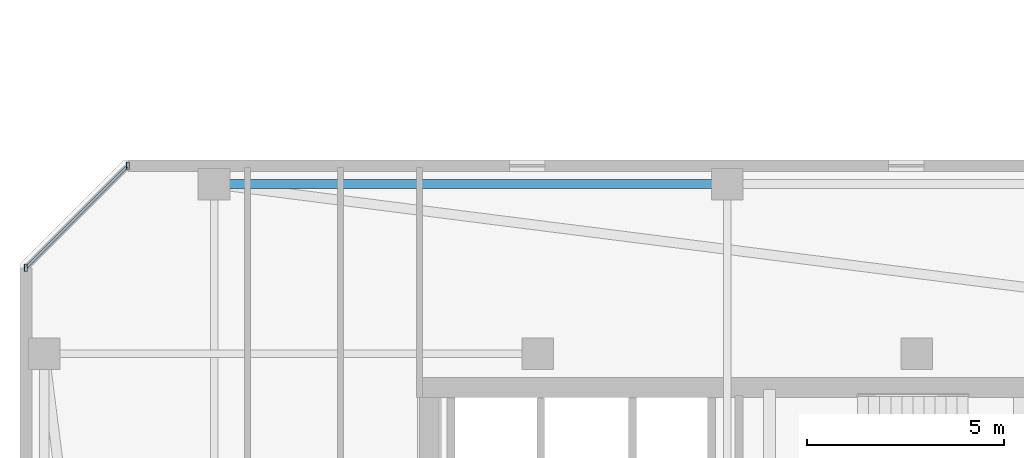
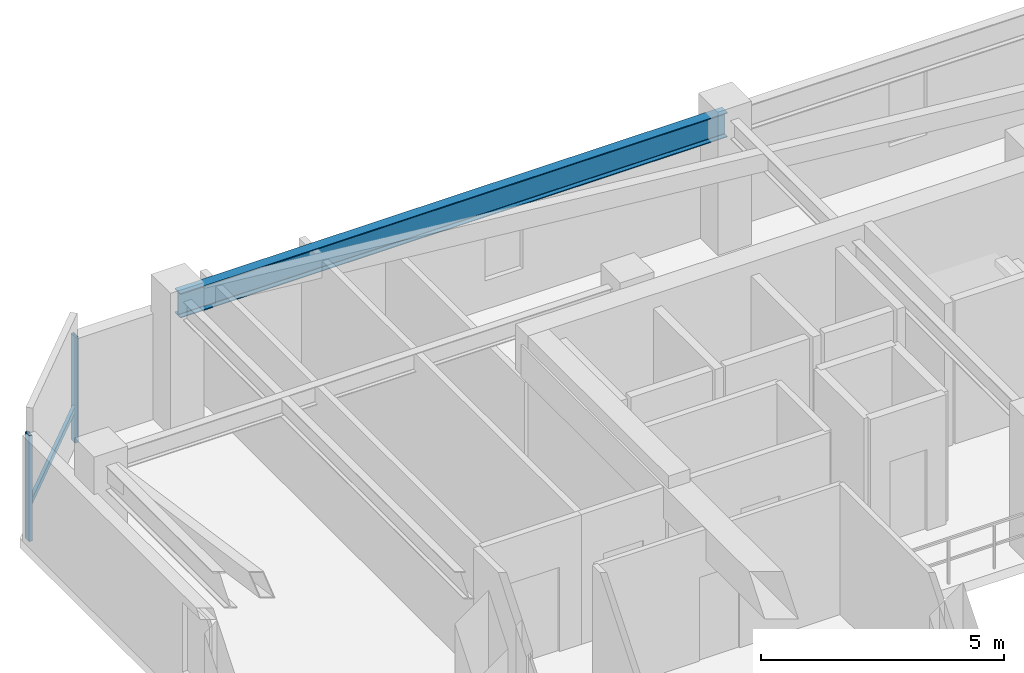
# One storey, part 10 of 35: 3 members, 1 beam, 1 element without a shape of its own.
"""IFC4 building model written with IfcOpenShell, lengths in metres."""

import ifcopenshell
import ifcopenshell.guid

model = None  # the IFC model being written
_history = None  # IfcOwnerHistory: only IFC2X3 demands one
_inside = {}  # id of a spatial element -> (the spatial element, [elements in it])
_under = {}  # id of a project, library or spatial element -> (it, [spatial elements below it])
_declared = {}  # id of a project -> (the project, [libraries it declares])
_typed = {}  # id of a type object -> (the type object, [elements of that type])
_made_of = {}  # id of a material, layer set ... -> (it, [elements and type objects made of it])


def new_model(schema):
    """Start an empty IFC model of exactly this schema.

    Asked for "IFC4X3", IfcOpenShell would pick the latest addendum, in which some entities
    have other attributes; the version numbers below select the first issue.
    IFC2X3 requires an IfcOwnerHistory on every rooted entity: one is made here for all.
    """
    global model, _history
    if schema == "IFC4X3":
        model = ifcopenshell.file(schema_version=(4, 3, 0, 0))
    else:
        model = ifcopenshell.file(schema=schema)
    _inside.clear()
    _under.clear()
    _declared.clear()
    _typed.clear()
    _made_of.clear()
    _history = None
    if model.schema == "IFC2X3":
        org = make("IfcOrganization", Name="unknown")
        user = make(
            "IfcPersonAndOrganization",
            ThePerson=make("IfcPerson", FamilyName="unknown"),
            TheOrganization=org,
        )
        app = make(
            "IfcApplication",
            ApplicationDeveloper=org,
            Version="unknown",
            ApplicationFullName="unknown",
            ApplicationIdentifier="unknown",
        )
        _history = make(
            "IfcOwnerHistory",
            OwningUser=user,
            OwningApplication=app,
            ChangeAction="ADDED",
            CreationDate=0,
        )
    return model


def make(cls, **values):
    """One entity of the class cls with the attributes given. An attribute that is None is left unset."""
    return model.create_entity(
        cls, **{name: value for name, value in values.items() if value is not None}
    )


def rooted(cls, **values):
    """An entity with a GlobalId (a new one), such as an element, a storey or a relation."""
    return make(cls, GlobalId=ifcopenshell.guid.new(), OwnerHistory=_history, **values)


def si_unit(unit_type, name, prefix=None):
    """IfcSIUnit, for example si_unit("LENGTHUNIT", "METRE", prefix="MILLI")."""
    return make("IfcSIUnit", UnitType=unit_type, Prefix=prefix, Name=name)


def assignment(units):
    """IfcUnitAssignment: the units of a project."""
    return None if units is None else make("IfcUnitAssignment", Units=units)


def point(xyz):
    """IfcCartesianPoint."""
    return None if xyz is None else make("IfcCartesianPoint", Coordinates=xyz)


def direction(xyz):
    """IfcDirection."""
    return None if xyz is None else make("IfcDirection", DirectionRatios=xyz)


def frame(location, z_axis=None, x_axis=None):
    """IfcAxis2Placement3D, a coordinate frame: its origin and axes. An axis left out is left unset."""
    return make(
        "IfcAxis2Placement3D",
        Location=point(location),
        Axis=direction(z_axis),
        RefDirection=direction(x_axis),
    )


def frame_2d(location, x_axis=None):
    """IfcAxis2Placement2D, a coordinate frame in the plane: its origin and x axis."""
    return make(
        "IfcAxis2Placement2D", Location=point(location), RefDirection=direction(x_axis)
    )


def origin():
    """The frame at (0, 0, 0) with its axes left unset."""
    return frame((0.0, 0.0, 0.0))


def origin_2d():
    """The frame at (0, 0) in the plane with its x axis left unset."""
    return frame_2d((0.0, 0.0))


def place(relative_to, where):
    """IfcLocalPlacement: puts the frame where relative to a parent placement (None: the world)."""
    return make(
        "IfcLocalPlacement", PlacementRelTo=relative_to, RelativePlacement=where
    )


def context(
    kind, dimensions, precision=None, world=None, true_north=None, identifier=None
):
    """IfcGeometricRepresentationContext, for example the 3D "Model" context."""
    return make(
        "IfcGeometricRepresentationContext",
        ContextIdentifier=identifier,
        ContextType=kind,
        CoordinateSpaceDimension=dimensions,
        Precision=precision,
        WorldCoordinateSystem=world,
        TrueNorth=true_north,
    )


def subcontext(parent, identifier, kind, view, scale=None):
    """IfcGeometricRepresentationSubContext, for example "Body" below "Model"."""
    return make(
        "IfcGeometricRepresentationSubContext",
        ContextIdentifier=identifier,
        ContextType=kind,
        ParentContext=parent,
        TargetScale=scale,
        TargetView=view,
    )


def project(units=None, contexts=None):
    """IfcProject with its units and contexts."""
    return rooted(
        "IfcProject",
        Name="project",
        RepresentationContexts=contexts,
        UnitsInContext=assignment(units),
    )


def spatial(cls, under=None, at=None, **own):
    """A site, building, storey or space (cls), placed at a placement, below another one or the project."""
    s = rooted(cls, ObjectPlacement=at, **own)
    if under is not None:
        _under.setdefault(under.id(), (under, []))[1].append(s)
    return s


def profile(cls, at=None, kind="AREA", **sizes):
    """A parametric profile (cls). Its sizes go by their IFC names, for example OverallWidth=200.0."""
    return make(cls, ProfileType=kind, Position=at, **sizes)


def hollow_rectangle(**sizes):
    """IfcRectangleHollowProfileDef."""
    return profile("IfcRectangleHollowProfileDef", **sizes)


def i_section(**sizes):
    """IfcIShapeProfileDef."""
    return profile("IfcIShapeProfileDef", **sizes)


def extrude(swept, where, along, depth):
    """IfcExtrudedAreaSolid: the profile swept, set in the frame where, extruded along a direction by depth."""
    return make(
        "IfcExtrudedAreaSolid",
        SweptArea=swept,
        Position=where,
        ExtrudedDirection=direction(along),
        Depth=depth,
    )


def shape(context_of_items, identifier, shape_type, items):
    """IfcShapeRepresentation: the items that make up one representation, for example the "Body"."""
    return make(
        "IfcShapeRepresentation",
        ContextOfItems=context_of_items,
        RepresentationIdentifier=identifier,
        RepresentationType=shape_type,
        Items=items,
    )


def material(Name=None, Category=None):
    """IfcMaterial."""
    return make("IfcMaterial", Name=Name, Category=Category)


def material_profile(
    of_material, cross_section, Name=None, Category=None, Priority=None
):
    """IfcMaterialProfile: a cross section and its material."""
    return make(
        "IfcMaterialProfile",
        Name=Name,
        Material=of_material,
        Profile=cross_section,
        Priority=Priority,
        Category=Category,
    )


def profile_set(profiles, Name=None, composite=None):
    """IfcMaterialProfileSet."""
    return make(
        "IfcMaterialProfileSet",
        Name=Name,
        MaterialProfiles=profiles,
        CompositeProfile=composite,
    )


def made_of(thing, what):
    """Note that an element or type object is made of a material, layer set ...; save() writes the relation."""
    if what is not None:
        _made_of.setdefault(what.id(), (what, []))[1].append(thing)
    return thing


def type_object(cls, material=None, **own):
    """A type object (cls), such as IfcWallType, which elements share."""
    return made_of(rooted(cls, **own), material)


def element(
    cls,
    number,
    at=None,
    inside=None,
    cuts=None,
    type_object=None,
    material=None,
    context=None,
    identifier="Body",
    shape_type=None,
    held_by="IfcProductDefinitionShape",
    body=None,
    shapes=None,
    **own,
):
    """One element of the class cls, such as IfcWall. Its Tag is "e" and its number.

    at: its placement. inside: the storey or other place that contains it. cuts: it is an
    opening in that element (IfcRelVoidsElement). A single representation is given by context,
    identifier, shape_type and body (its items); several are given by shapes. held_by: the class
    of the entity that holds the representations. save() writes the other relations.
    """
    e = rooted(cls, Tag="e%d" % number, ObjectPlacement=at, **own)
    if body is not None:
        shapes = [shape(context, identifier, shape_type, body)]
    if shapes is not None:
        e.Representation = make(held_by, Representations=shapes)
    if inside is not None:
        _inside.setdefault(inside.id(), (inside, []))[1].append(e)
    if cuts is not None:
        rooted(
            "IfcRelVoidsElement", RelatingBuildingElement=cuts, RelatedOpeningElement=e
        )
    if type_object is not None:
        _typed.setdefault(type_object.id(), (type_object, []))[1].append(e)
    return made_of(e, material)


def aggregate(whole, parts):
    """IfcRelAggregates: a whole, such as a stair, and the parts it consists of."""
    return rooted("IfcRelAggregates", RelatingObject=whole, RelatedObjects=parts)


def save(model, path):
    """Write the relations noted so far, then the file.

    IfcRelAggregates (storeys below a building ...), IfcRelContainedInSpatialStructure (elements
    in a storey), IfcRelDefinesByType, IfcRelAssociatesMaterial and IfcRelDeclares: one each for
    every whole, place, type object, material and project.
    """
    for whole, parts in _under.values():
        aggregate(whole, parts)
    for where, things in _inside.values():
        rooted(
            "IfcRelContainedInSpatialStructure",
            RelatedElements=things,
            RelatingStructure=where,
        )
    for kind, things in _typed.values():
        rooted("IfcRelDefinesByType", RelatedObjects=things, RelatingType=kind)
    for what, things in _made_of.values():
        rooted("IfcRelAssociatesMaterial", RelatedObjects=things, RelatingMaterial=what)
    for by, libraries in _declared.values():
        rooted("IfcRelDeclares", RelatingContext=by, RelatedDefinitions=libraries)
    model.write(path)


model = new_model("IFC4")

# Units and contexts
model_context = context("Model", 3, precision=1e-05, world=origin(), true_north=direction((0.0, 1.0)))
body_context = subcontext(model_context, "Body", "Model", "MODEL_VIEW")
ifc_project = project(units=[si_unit("LENGTHUNIT", "METRE"), si_unit("AREAUNIT", "SQUARE_METRE"), si_unit("VOLUMEUNIT", "CUBIC_METRE"), si_unit("PLANEANGLEUNIT", "RADIAN"), si_unit("MASSUNIT", "GRAM", prefix="KILO")], contexts=[model_context])

# Site, building, storey
site_placement = place(None, origin())
site = spatial("IfcSite", under=ifc_project, at=site_placement, CompositionType="ELEMENT")
building_placement = place(site_placement, origin())
building = spatial("IfcBuilding", under=site, at=building_placement, Name="Thornwick Lancets Civic Towers", CompositionType="ELEMENT")
storey_placement = place(building_placement, frame((0.0, 0.0, 276.300048828125)))
storey = spatial("IfcBuildingStorey", under=building, at=storey_placement, Name="L74", CompositionType="ELEMENT", Elevation=276.300048828125)

# Beam
ifc_material_1 = material(Name="Steel S355JR", Category="steel")
ifc_material_profile_1 = material_profile(ifc_material_1, i_section(OverallWidth=0.230224609375, OverallDepth=0.6171875, WebThickness=0.01318359375, FlangeThickness=0.022216796875, FilletRadius=0.0126953125, at=origin_2d()), Name="UKB 610x229x140")
ifc_profile_set_1 = profile_set([ifc_material_profile_1], Name="Steel S355JR")
beam_type = type_object("IfcBeamType", Name="BM_GIRD_610_140", PredefinedType="BEAM", material=ifc_profile_set_1)
beam_placement = place(storey_placement, frame((12.5, 44.300048828125, 2.971435546875), z_axis=(1.0, 0.0, 0.0), x_axis=(0.0, 1.0, 0.0)))
element("IfcBeam", 1, at=beam_placement, inside=storey, type_object=beam_type, Name="BM-SPINE-L74-A-6-7", PredefinedType="BEAM", context=body_context, shape_type="SweptSolid", body=[
    extrude(i_section(OverallWidth=0.230224609375, OverallDepth=0.6171875, WebThickness=0.01318359375, FlangeThickness=0.022216796875, FilletRadius=0.0126953125, at=origin_2d()), origin(), (0.0, 0.0, 1.0), 13.0),
])

# Curtain wall, members
ifc_material_2 = material(Name="High-zone chamfered-corner unitised glass curtain wall", Category="glass")
curtain_wall_type = type_object("IfcCurtainWallType", Name="CW_SYS_05", PredefinedType="NOTDEFINED", material=ifc_material_2)
curtain_wall_placement = place(storey_placement, origin())
curtain_wall = element("IfcCurtainWall", 2, at=curtain_wall_placement, inside=storey, type_object=curtain_wall_type, Name="L74 Curtain Wall CW-L74-A-E5", PredefinedType="NOTDEFINED")
ifc_material_3 = material(Name="Thermally broken bronze aluminium S355", Category="steel")
ifc_material_profile_2 = material_profile(ifc_material_3, hollow_rectangle(XDim=0.074951171875, YDim=0.179931640625, WallThickness=0.006103515625, at=origin_2d()), Name="RHS 180x75x6")
ifc_profile_set_2 = profile_set([ifc_material_profile_2], Name="Thermally broken bronze aluminium S355")
member_type_1 = type_object("IfcMemberType", Name="CW_MUL_180", PredefinedType="MULLION", material=ifc_profile_set_2)
member_1_placement = place(storey_placement, frame((10.318603515625, 44.7646484375, 0.0), z_axis=(0.0, 0.0, 1.0), x_axis=(1.0, 0.0, 0.0)))
member_1 = element("IfcMember", 3, at=member_1_placement, type_object=member_type_1, Name="CW-L74-A-E5 Mullion 0", PredefinedType="MULLION", context=body_context, shape_type="SweptSolid", body=[
    extrude(hollow_rectangle(XDim=0.074951171875, YDim=0.179931640625, WallThickness=0.006103515625, at=origin_2d()), origin(), (0.0, 0.0, 1.0), 2.659912109375),
])
member_2_placement = place(storey_placement, frame((7.7353515625, 42.181396484375, 0.0), z_axis=(0.0, 0.0, 1.0), x_axis=(1.0, 0.0, 0.0)))
member_2 = element("IfcMember", 4, at=member_2_placement, type_object=member_type_1, Name="CW-L74-A-E5 Mullion 1", PredefinedType="MULLION", context=body_context, shape_type="SweptSolid", body=[
    extrude(hollow_rectangle(XDim=0.074951171875, YDim=0.179931640625, WallThickness=0.006103515625, at=origin_2d()), origin(), (0.0, 0.0, 1.0), 2.659912109375),
])
ifc_material_profile_3 = material_profile(ifc_material_3, hollow_rectangle(XDim=0.074951171875, YDim=0.14990234375, WallThickness=0.0048828125, at=origin_2d()), Name="RHS 150x75x5")
ifc_profile_set_3 = profile_set([ifc_material_profile_3], Name="Thermally broken bronze aluminium S355")
member_type_2 = type_object("IfcMemberType", Name="CW_TRN_150", PredefinedType="USERDEFINED", material=ifc_profile_set_3)
member_3_placement = place(storey_placement, frame((10.304443359375, 44.75048828125, 0.849853515625), z_axis=(-0.707106781187, -0.707106781187, 0.0), x_axis=(0.707106781187, -0.707106781187, 0.0)))
member_3 = element("IfcMember", 5, at=member_3_placement, type_object=member_type_2, Name="CW-L74-A-E5 Transom 0", ObjectType="TRANSOM", PredefinedType="USERDEFINED", context=body_context, shape_type="SweptSolid", body=[
    extrude(hollow_rectangle(XDim=0.074951171875, YDim=0.14990234375, WallThickness=0.0048828125, at=origin_2d()), origin(), (0.0, 0.0, 1.0), 3.61328125),
])
aggregate(curtain_wall, [member_1, member_2, member_3])

save(model, "model.ifc")
